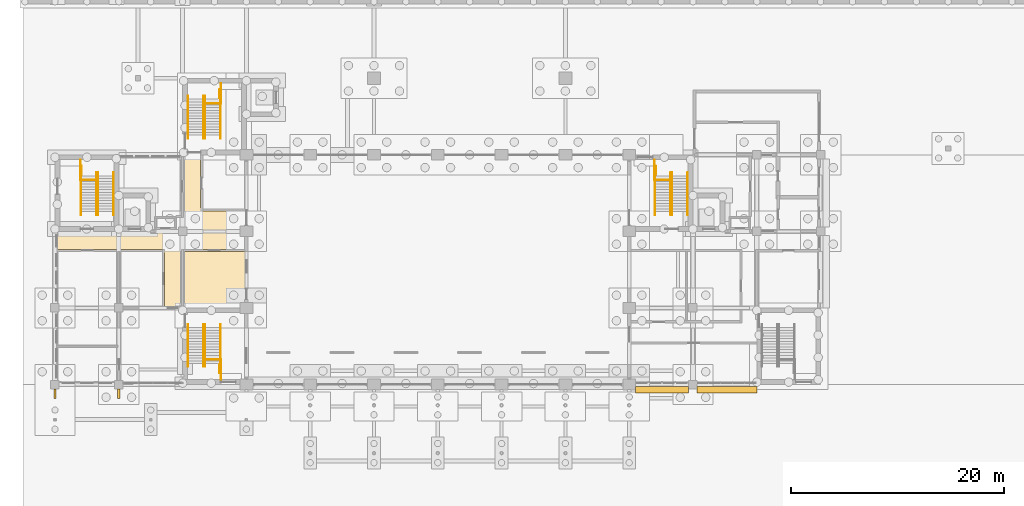
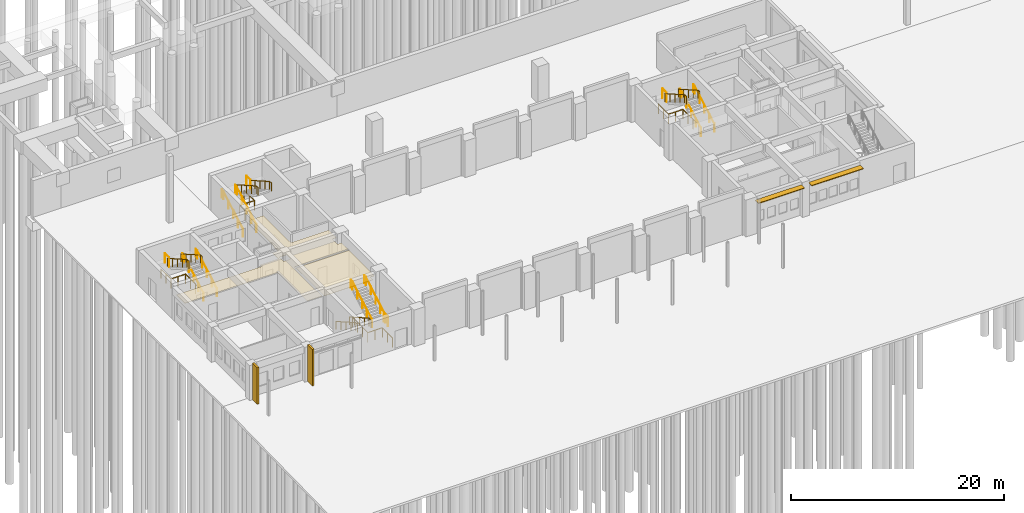
# One storey, part 34 of 37: 24 railings, 4 shading devices, 2 coverings.
"""IFC4 building model written with IfcOpenShell, lengths in metres."""

from ifc_helpers import new_model, si_unit, direction, frame, origin, origin_2d, place, context, subcontext, project, spatial, polyline, rectangle, circle, outline, extrude, material, layer, layer_set, type_object, element, save


model = new_model("IFC4")

# Units and contexts
model_context = context("Model", 3, precision=1e-05, world=origin(), true_north=direction((0.0, 1.0)))
body_context = subcontext(model_context, "Body", "Model", "MODEL_VIEW")
ifc_project = project(units=[si_unit("LENGTHUNIT", "METRE"), si_unit("AREAUNIT", "SQUARE_METRE"), si_unit("VOLUMEUNIT", "CUBIC_METRE"), si_unit("PLANEANGLEUNIT", "RADIAN"), si_unit("MASSUNIT", "GRAM", prefix="KILO")], contexts=[model_context])

# Site, building, storey
site_placement = place(None, origin())
site = spatial("IfcSite", under=ifc_project, at=site_placement, CompositionType="ELEMENT")
building_placement = place(site_placement, origin())
building = spatial("IfcBuilding", under=site, at=building_placement, Name="Laocheng Heights Fire and Rescue Headquarters", CompositionType="ELEMENT")
storey_placement = place(building_placement, origin())
storey = spatial("IfcBuildingStorey", under=building, at=storey_placement, Name="L00", CompositionType="ELEMENT", Elevation=0.0)

# Shading devices
ifc_material_1 = material(Name="Precast concrete C40/50, light warm grey", Category="concrete")
ifc_layer_1 = layer(ifc_material_1, 0.080078125)
ifc_layer_set_1 = layer_set([ifc_layer_1], Name="Precast concrete C40/50, light warm grey")
shading_device_type_1 = type_object("IfcShadingDeviceType", Name="PRECAST BLADE 600 x 80 BLADE E FLANK SOUTH", PredefinedType="JALOUSIE", material=ifc_layer_set_1)
shading_device_1_placement = place(storey_placement, frame((57.10009765625, -0.5, 3.56005859375), z_axis=(0.0, 0.0, 1.0), x_axis=(1.0, 0.0, 0.0)))
element("IfcShadingDevice", 1, at=shading_device_1_placement, inside=storey, type_object=shading_device_type_1, Name="BLADE E FLANK SOUTH L00", PredefinedType="JALOUSIE", context=body_context, shape_type="SweptSolid", body=[
    extrude(rectangle(XDim=5.0, YDim=0.60009765625, at=origin_2d()), origin(), (0.0, 0.0, 1.0), 0.080078125),
])
shading_device_2_placement = place(storey_placement, frame((63.199951171875, -0.5, 3.56005859375), z_axis=(0.0, 0.0, 1.0), x_axis=(1.0, 0.0, 0.0)))
element("IfcShadingDevice", 2, at=shading_device_2_placement, inside=storey, type_object=shading_device_type_1, Name="BLADE E FLANK SOUTH L00", PredefinedType="JALOUSIE", context=body_context, shape_type="SweptSolid", body=[
    extrude(rectangle(XDim=5.60009765625, YDim=0.60009765625, at=origin_2d()), origin(), (0.0, 0.0, 1.0), 0.080078125),
])
ifc_material_2 = material(Name="Precast concrete C40/50, light warm grey", Category="concrete")
ifc_layer_2 = layer(ifc_material_2, 0.199951171875)
ifc_layer_set_2 = layer_set([ifc_layer_2], Name="Precast concrete C40/50, light warm grey")
shading_device_type_2 = type_object("IfcShadingDeviceType", Name="PRECAST VERTICAL FIN 200 x 900", PredefinedType="AWNING", material=ifc_layer_set_2)
for number, where, z_axis, x_axis, name in (
    (3, (0.0, -0.85009765625, 0.0), (0.0, 0.0, 1.0), (1.0, 0.0, 0.0), "FIN W FLANK L00 x0"),
    (4, (6.0, -0.85009765625, 0.0), (0.0, 0.0, 1.0), (1.0, 0.0, 0.0), "FIN W FLANK L00 x6"),
):
    element("IfcShadingDevice", number, at=place(storey_placement, frame(where, z_axis=z_axis, x_axis=x_axis)), inside=storey, type_object=shading_device_type_2, Name=name, PredefinedType="AWNING", context=body_context, shape_type="SweptSolid", body=[
        extrude(rectangle(XDim=0.199951171875, YDim=0.89990234375, at=origin_2d()), origin(), (0.0, 0.0, 1.0), 4.199951171875),
    ])

# Railings
ifc_material_3 = material(Name="Steel Q355B", Category="steel")
railing_type_1 = type_object("IfcRailingType", Name="STAIR GUARD 1100", PredefinedType="GUARDRAIL", material=ifc_material_3)
railing_1_placement = place(storey_placement, frame((2.39501953125, 21.1298828125, 0.0)))
element("IfcRailing", 5, at=railing_1_placement, inside=storey, type_object=railing_type_1, Name="Stair W1 guard L00 under the half landing", PredefinedType="GUARDRAIL", context=body_context, shape_type="SweptSolid", body=[
    extrude(circle(Radius=0.02392578125, at=origin_2d()), frame((0.0, 0.0, 1.076171875), z_axis=(0.0, -1.0, 0.0), x_axis=(1.0, 0.0, 0.0)), (0.0, 0.0, 1.0), 1.900146484375),
    extrude(circle(Radius=0.02392578125, at=origin_2d()), frame((0.0, -1.900146484375, 1.076171875), z_axis=(1.0, 0.0, 0.0), x_axis=(0.0, 1.0, 0.0)), (0.0, 0.0, 1.0), 1.580078125),
    extrude(circle(Radius=0.02392578125, at=origin_2d()), frame((1.580078125, -1.900146484375, 1.076171875), z_axis=(0.0, -1.0, 0.0), x_axis=(1.0, 0.0, 0.0)), (0.0, 0.0, 1.0), 2.879638671875),
    extrude(circle(Radius=0.02099609375, at=origin_2d()), origin(), (0.0, 0.0, 1.0), 1.052001953125),
    extrude(circle(Radius=0.02099609375, at=origin_2d()), frame((0.0, -0.9501953125, 0.0)), (0.0, 0.0, 1.0), 1.052001953125),
    extrude(circle(Radius=0.02099609375, at=origin_2d()), frame((0.0, -1.900146484375, 0.0)), (0.0, 0.0, 1.0), 1.052001953125),
    extrude(circle(Radius=0.02099609375, at=origin_2d()), frame((0.7900390625, -1.900146484375, 0.0)), (0.0, 0.0, 1.0), 1.052001953125),
    extrude(circle(Radius=0.02099609375, at=origin_2d()), frame((1.580078125, -1.900146484375, 0.0)), (0.0, 0.0, 1.0), 1.052001953125),
    extrude(circle(Radius=0.02099609375, at=origin_2d()), frame((1.580078125, -2.860107421875, 0.0)), (0.0, 0.0, 1.0), 1.052001953125),
    extrude(circle(Radius=0.02099609375, at=origin_2d()), frame((1.580078125, -3.81982421875, 0.0)), (0.0, 0.0, 1.0), 1.052001953125),
    extrude(circle(Radius=0.02099609375, at=origin_2d()), frame((1.580078125, -4.77978515625, 0.0)), (0.0, 0.0, 1.0), 1.052001953125),
])
railing_2_placement = place(storey_placement, frame((2.5048828125, 20.530029296875, 2.10009765625)))
element("IfcRailing", 6, at=railing_2_placement, inside=storey, type_object=railing_type_1, Name="Stair W1 guard L00 half landing", PredefinedType="GUARDRAIL", context=body_context, shape_type="SweptSolid", body=[
    extrude(circle(Radius=0.02392578125, at=origin_2d()), frame((0.0, 0.0, 1.076171875), z_axis=(0.0, -1.0, 0.0), x_axis=(1.0, 0.0, 0.0)), (0.0, 0.0, 1.0), 0.800048828125),
    extrude(circle(Radius=0.02099609375, at=origin_2d()), origin(), (0.0, 0.0, 1.0), 1.052001953125),
    extrude(circle(Radius=0.02099609375, at=origin_2d()), frame((0.0, -0.800048828125, 0.0)), (0.0, 0.0, 1.0), 1.052001953125),
])
railing_3_placement = place(storey_placement, frame((15.60498046875, 0.469970703125, 0.0)))
element("IfcRailing", 7, at=railing_3_placement, inside=storey, type_object=railing_type_1, Name="Stair W2 guard L00 under the half landing", PredefinedType="GUARDRAIL", context=body_context, shape_type="SweptSolid", body=[
    extrude(circle(Radius=0.02392578125, at=origin_2d()), frame((0.0, 0.0, 1.076171875), z_axis=(0.0, 1.0, 0.0), x_axis=(-1.0, 0.0, 0.0)), (0.0, 0.0, 1.0), 1.900146484375),
    extrude(circle(Radius=0.02392578125, at=origin_2d()), frame((0.0, 1.900146484375, 1.076171875), z_axis=(-1.0, 0.0, 0.0), x_axis=(0.0, -1.0, 0.0)), (0.0, 0.0, 1.0), 1.580078125),
    extrude(circle(Radius=0.02392578125, at=origin_2d()), frame((-1.580078125, 1.900146484375, 1.076171875), z_axis=(0.0, 1.0, 0.0), x_axis=(-1.0, 0.0, 0.0)), (0.0, 0.0, 1.0), 2.8798828125),
    extrude(circle(Radius=0.02099609375, at=origin_2d()), origin(), (0.0, 0.0, 1.0), 1.052001953125),
    extrude(circle(Radius=0.02099609375, at=origin_2d()), frame((0.0, 0.9501953125, 0.0)), (0.0, 0.0, 1.0), 1.052001953125),
    extrude(circle(Radius=0.02099609375, at=origin_2d()), frame((0.0, 1.900146484375, 0.0)), (0.0, 0.0, 1.0), 1.052001953125),
    extrude(circle(Radius=0.02099609375, at=origin_2d()), frame((-0.7900390625, 1.900146484375, 0.0)), (0.0, 0.0, 1.0), 1.052001953125),
    extrude(circle(Radius=0.02099609375, at=origin_2d()), frame((-1.580078125, 1.900146484375, 0.0)), (0.0, 0.0, 1.0), 1.052001953125),
    extrude(circle(Radius=0.02099609375, at=origin_2d()), frame((-1.580078125, 2.860107421875, 0.0)), (0.0, 0.0, 1.0), 1.052001953125),
    extrude(circle(Radius=0.02099609375, at=origin_2d()), frame((-1.580078125, 3.820068359375, 0.0)), (0.0, 0.0, 1.0), 1.052001953125),
    extrude(circle(Radius=0.02099609375, at=origin_2d()), frame((-1.580078125, 4.780029296875, 0.0)), (0.0, 0.0, 1.0), 1.052001953125),
])
railing_4_placement = place(storey_placement, frame((15.4951171875, 1.070068359375, 2.10009765625)))
element("IfcRailing", 8, at=railing_4_placement, inside=storey, type_object=railing_type_1, Name="Stair W2 guard L00 half landing", PredefinedType="GUARDRAIL", context=body_context, shape_type="SweptSolid", body=[
    extrude(circle(Radius=0.02392578125, at=origin_2d()), frame((0.0, 0.0, 1.076171875), z_axis=(0.0, 1.0, 0.0), x_axis=(-1.0, 0.0, 0.0)), (0.0, 0.0, 1.0), 0.800048828125),
    extrude(circle(Radius=0.02099609375, at=origin_2d()), origin(), (0.0, 0.0, 1.0), 1.052001953125),
    extrude(circle(Radius=0.02099609375, at=origin_2d()), frame((0.0, 0.800048828125, 0.0)), (0.0, 0.0, 1.0), 1.052001953125),
])
railing_5_placement = place(storey_placement, frame((56.39501953125, 21.1298828125, 0.0)))
element("IfcRailing", 9, at=railing_5_placement, inside=storey, type_object=railing_type_1, Name="Stair E1 guard L00 under the half landing", PredefinedType="GUARDRAIL", context=body_context, shape_type="SweptSolid", body=[
    extrude(circle(Radius=0.02392578125, at=origin_2d()), frame((0.0, 0.0, 1.076171875), z_axis=(0.0, -1.0, 0.0), x_axis=(1.0, 0.0, 0.0)), (0.0, 0.0, 1.0), 1.900146484375),
    extrude(circle(Radius=0.02392578125, at=origin_2d()), frame((0.0, -1.900146484375, 1.076171875), z_axis=(1.0, 0.0, 0.0), x_axis=(0.0, 1.0, 0.0)), (0.0, 0.0, 1.0), 1.580078125),
    extrude(circle(Radius=0.02392578125, at=origin_2d()), frame((1.580078125, -1.900146484375, 1.076171875), z_axis=(0.0, -1.0, 0.0), x_axis=(1.0, 0.0, 0.0)), (0.0, 0.0, 1.0), 2.879638671875),
    extrude(circle(Radius=0.02099609375, at=origin_2d()), origin(), (0.0, 0.0, 1.0), 1.052001953125),
    extrude(circle(Radius=0.02099609375, at=origin_2d()), frame((0.0, -0.9501953125, 0.0)), (0.0, 0.0, 1.0), 1.052001953125),
    extrude(circle(Radius=0.02099609375, at=origin_2d()), frame((0.0, -1.900146484375, 0.0)), (0.0, 0.0, 1.0), 1.052001953125),
    extrude(circle(Radius=0.02099609375, at=origin_2d()), frame((0.7900390625, -1.900146484375, 0.0)), (0.0, 0.0, 1.0), 1.052001953125),
    extrude(circle(Radius=0.02099609375, at=origin_2d()), frame((1.580078125, -1.900146484375, 0.0)), (0.0, 0.0, 1.0), 1.052001953125),
    extrude(circle(Radius=0.02099609375, at=origin_2d()), frame((1.580078125, -2.860107421875, 0.0)), (0.0, 0.0, 1.0), 1.052001953125),
    extrude(circle(Radius=0.02099609375, at=origin_2d()), frame((1.580078125, -3.81982421875, 0.0)), (0.0, 0.0, 1.0), 1.052001953125),
    extrude(circle(Radius=0.02099609375, at=origin_2d()), frame((1.580078125, -4.77978515625, 0.0)), (0.0, 0.0, 1.0), 1.052001953125),
])
railing_6_placement = place(storey_placement, frame((56.5048828125, 20.530029296875, 2.10009765625)))
element("IfcRailing", 10, at=railing_6_placement, inside=storey, type_object=railing_type_1, Name="Stair E1 guard L00 half landing", PredefinedType="GUARDRAIL", context=body_context, shape_type="SweptSolid", body=[
    extrude(circle(Radius=0.02392578125, at=origin_2d()), frame((0.0, 0.0, 1.076171875), z_axis=(0.0, -1.0, 0.0), x_axis=(1.0, 0.0, 0.0)), (0.0, 0.0, 1.0), 0.800048828125),
    extrude(circle(Radius=0.02099609375, at=origin_2d()), origin(), (0.0, 0.0, 1.0), 1.052001953125),
    extrude(circle(Radius=0.02099609375, at=origin_2d()), frame((0.0, -0.800048828125, 0.0)), (0.0, 0.0, 1.0), 1.052001953125),
])
railing_7_placement = place(storey_placement, frame((15.60498046875, 28.330078125, 0.0)))
element("IfcRailing", 11, at=railing_7_placement, inside=storey, type_object=railing_type_1, Name="Stair G1 guard L00 under the half landing", PredefinedType="GUARDRAIL", context=body_context, shape_type="SweptSolid", body=[
    extrude(circle(Radius=0.02392578125, at=origin_2d()), frame((0.0, 0.0, 1.076171875), z_axis=(0.0, -1.0, 0.0), x_axis=(1.0, 0.0, 0.0)), (0.0, 0.0, 1.0), 1.900146484375),
    extrude(circle(Radius=0.02392578125, at=origin_2d()), frame((0.0, -1.900146484375, 1.076171875), z_axis=(-1.0, 0.0, 0.0), x_axis=(0.0, -1.0, 0.0)), (0.0, 0.0, 1.0), 1.580078125),
    extrude(circle(Radius=0.02392578125, at=origin_2d()), frame((-1.580078125, -1.900146484375, 1.076171875), z_axis=(0.0, -1.0, 0.0), x_axis=(1.0, 0.0, 0.0)), (0.0, 0.0, 1.0), 2.8798828125),
    extrude(circle(Radius=0.02099609375, at=origin_2d()), origin(), (0.0, 0.0, 1.0), 1.052001953125),
    extrude(circle(Radius=0.02099609375, at=origin_2d()), frame((0.0, -0.9501953125, 0.0)), (0.0, 0.0, 1.0), 1.052001953125),
    extrude(circle(Radius=0.02099609375, at=origin_2d()), frame((0.0, -1.900146484375, 0.0)), (0.0, 0.0, 1.0), 1.052001953125),
    extrude(circle(Radius=0.02099609375, at=origin_2d()), frame((-0.7900390625, -1.900146484375, 0.0)), (0.0, 0.0, 1.0), 1.052001953125),
    extrude(circle(Radius=0.02099609375, at=origin_2d()), frame((-1.580078125, -1.900146484375, 0.0)), (0.0, 0.0, 1.0), 1.052001953125),
    extrude(circle(Radius=0.02099609375, at=origin_2d()), frame((-1.580078125, -2.860107421875, 0.0)), (0.0, 0.0, 1.0), 1.052001953125),
    extrude(circle(Radius=0.02099609375, at=origin_2d()), frame((-1.580078125, -3.820068359375, 0.0)), (0.0, 0.0, 1.0), 1.052001953125),
    extrude(circle(Radius=0.02099609375, at=origin_2d()), frame((-1.580078125, -4.780029296875, 0.0)), (0.0, 0.0, 1.0), 1.052001953125),
])
railing_8_placement = place(storey_placement, frame((15.4951171875, 27.72998046875, 2.10009765625)))
element("IfcRailing", 12, at=railing_8_placement, inside=storey, type_object=railing_type_1, Name="Stair G1 guard L00 half landing", PredefinedType="GUARDRAIL", context=body_context, shape_type="SweptSolid", body=[
    extrude(circle(Radius=0.02392578125, at=origin_2d()), frame((0.0, 0.0, 1.076171875), z_axis=(0.0, -1.0, 0.0), x_axis=(1.0, 0.0, 0.0)), (0.0, 0.0, 1.0), 0.800048828125),
    extrude(circle(Radius=0.02099609375, at=origin_2d()), origin(), (0.0, 0.0, 1.0), 1.052001953125),
    extrude(circle(Radius=0.02099609375, at=origin_2d()), frame((0.0, -0.800048828125, 0.0)), (0.0, 0.0, 1.0), 1.052001953125),
])
ifc_material_4 = material(Name="Steel Q355B", Category="steel")
railing_type_2 = type_object("IfcRailingType", Name="STAIR HANDRAIL 920", PredefinedType="HANDRAIL", material=ifc_material_4)
for number, where, name in (
    (13, (5.5048828125, 15.949951171875, 0.0), "Stair W1 handrail L00 1"),
    (14, (4.044921875, 15.949951171875, 0.0), "Stair W1 handrail L00 2"),
):
    element("IfcRailing", number, at=place(storey_placement, frame(where)), inside=storey, type_object=railing_type_2, Name=name, PredefinedType="HANDRAIL", context=body_context, shape_type="SweptSolid", body=[
        extrude(circle(Radius=0.02392578125, at=origin_2d()), frame((0.0, 0.0, 0.89599609375), z_axis=(0.0, 0.868519587458, 0.495654845838), x_axis=(-1.0, 0.0, 0.0)), (0.0, 0.0, 1.0), 4.237060546875),
        extrude(circle(Radius=0.02392578125, at=origin_2d()), frame((0.0, 3.679931640625, 2.99609375), z_axis=(0.0, 1.0, 0.0), x_axis=(-1.0, 0.0, 0.0)), (0.0, 0.0, 1.0), 0.300048828125),
        extrude(circle(Radius=0.02099609375, at=origin_2d()), origin(), (0.0, 0.0, 1.0), 0.871826171875),
        extrude(circle(Radius=0.02099609375, at=origin_2d()), frame((0.0, 0.919921875, 0.52490234375)), (0.0, 0.0, 1.0), 0.871826171875),
        extrude(circle(Radius=0.02099609375, at=origin_2d()), frame((0.0, 1.83984375, 1.050048828125)), (0.0, 0.0, 1.0), 0.871826171875),
        extrude(circle(Radius=0.02099609375, at=origin_2d()), frame((0.0, 2.760009765625, 1.5751953125)), (0.0, 0.0, 1.0), 0.871826171875),
        extrude(circle(Radius=0.02099609375, at=origin_2d()), frame((0.0, 3.679931640625, 2.10009765625)), (0.0, 0.0, 1.0), 0.871826171875),
        extrude(circle(Radius=0.02099609375, at=origin_2d()), frame((0.0, 3.97998046875, 2.10009765625)), (0.0, 0.0, 1.0), 0.871826171875),
    ])
for number, where, name in (
    (15, (3.905029296875, 19.929931640625, 2.10009765625), "Stair W1 handrail L00 3"),
    (16, (2.445068359375, 19.929931640625, 2.10009765625), "Stair W1 handrail L00 4"),
):
    element("IfcRailing", number, at=place(storey_placement, frame(where)), inside=storey, type_object=railing_type_2, Name=name, PredefinedType="HANDRAIL", context=body_context, shape_type="SweptSolid", body=[
        extrude(circle(Radius=0.02392578125, at=origin_2d()), frame((0.0, 0.0, 0.89599609375), z_axis=(0.0, -0.868544392059, 0.495611379029), x_axis=(1.0, 0.0, 0.0)), (0.0, 0.0, 1.0), 4.23681640625),
        extrude(circle(Radius=0.02392578125, at=origin_2d()), frame((0.0, -3.679931640625, 2.99560546875), z_axis=(0.0, -1.0, 0.0), x_axis=(1.0, 0.0, 0.0)), (0.0, 0.0, 1.0), 0.300048828125),
        extrude(circle(Radius=0.02099609375, at=origin_2d()), origin(), (0.0, 0.0, 1.0), 0.871826171875),
        extrude(circle(Radius=0.02099609375, at=origin_2d()), frame((0.0, -0.919921875, 0.52490234375)), (0.0, 0.0, 1.0), 0.871826171875),
        extrude(circle(Radius=0.02099609375, at=origin_2d()), frame((0.0, -1.83984375, 1.0498046875)), (0.0, 0.0, 1.0), 0.871826171875),
        extrude(circle(Radius=0.02099609375, at=origin_2d()), frame((0.0, -2.760009765625, 1.574951171875)), (0.0, 0.0, 1.0), 0.871826171875),
        extrude(circle(Radius=0.02099609375, at=origin_2d()), frame((0.0, -3.679931640625, 2.099853515625)), (0.0, 0.0, 1.0), 0.871826171875),
        extrude(circle(Radius=0.02099609375, at=origin_2d()), frame((0.0, -3.97998046875, 2.099853515625)), (0.0, 0.0, 1.0), 0.871826171875),
    ])
for number, where, name in (
    (17, (12.4951171875, 5.64990234375, 0.0), "Stair W2 handrail L00 1"),
    (18, (13.955078125, 5.64990234375, 0.0), "Stair W2 handrail L00 2"),
):
    element("IfcRailing", number, at=place(storey_placement, frame(where)), inside=storey, type_object=railing_type_2, Name=name, PredefinedType="HANDRAIL", context=body_context, shape_type="SweptSolid", body=[
        extrude(circle(Radius=0.02392578125, at=origin_2d()), frame((0.0, 0.0, 0.89599609375), z_axis=(0.0, -0.868519587458, 0.495654845838), x_axis=(1.0, 0.0, 0.0)), (0.0, 0.0, 1.0), 4.237060546875),
        extrude(circle(Radius=0.02392578125, at=origin_2d()), frame((0.0, -3.679931640625, 2.99609375), z_axis=(0.0, -1.0, 0.0), x_axis=(1.0, 0.0, 0.0)), (0.0, 0.0, 1.0), 0.300048828125),
        extrude(circle(Radius=0.02099609375, at=origin_2d()), origin(), (0.0, 0.0, 1.0), 0.871826171875),
        extrude(circle(Radius=0.02099609375, at=origin_2d()), frame((0.0, -0.919921875, 0.52490234375)), (0.0, 0.0, 1.0), 0.871826171875),
        extrude(circle(Radius=0.02099609375, at=origin_2d()), frame((0.0, -1.83984375, 1.050048828125)), (0.0, 0.0, 1.0), 0.871826171875),
        extrude(circle(Radius=0.02099609375, at=origin_2d()), frame((0.0, -2.760009765625, 1.5751953125)), (0.0, 0.0, 1.0), 0.871826171875),
        extrude(circle(Radius=0.02099609375, at=origin_2d()), frame((0.0, -3.679931640625, 2.10009765625)), (0.0, 0.0, 1.0), 0.871826171875),
        extrude(circle(Radius=0.02099609375, at=origin_2d()), frame((0.0, -3.97998046875, 2.10009765625)), (0.0, 0.0, 1.0), 0.871826171875),
    ])
for number, where, name in (
    (19, (14.094970703125, 1.669921875, 2.10009765625), "Stair W2 handrail L00 3"),
    (20, (15.554931640625, 1.669921875, 2.10009765625), "Stair W2 handrail L00 4"),
):
    element("IfcRailing", number, at=place(storey_placement, frame(where)), inside=storey, type_object=railing_type_2, Name=name, PredefinedType="HANDRAIL", context=body_context, shape_type="SweptSolid", body=[
        extrude(circle(Radius=0.02392578125, at=origin_2d()), frame((0.0, 0.0, 0.89599609375), z_axis=(0.0, 0.868558544855, 0.495586575846), x_axis=(-1.0, 0.0, 0.0)), (0.0, 0.0, 1.0), 4.237060546875),
        extrude(circle(Radius=0.02392578125, at=origin_2d()), frame((0.0, 3.68017578125, 2.99560546875), z_axis=(0.0, 1.0, 0.0), x_axis=(-1.0, 0.0, 0.0)), (0.0, 0.0, 1.0), 0.2998046875),
        extrude(circle(Radius=0.02099609375, at=origin_2d()), origin(), (0.0, 0.0, 1.0), 0.871826171875),
        extrude(circle(Radius=0.02099609375, at=origin_2d()), frame((0.0, 0.919921875, 0.52490234375)), (0.0, 0.0, 1.0), 0.871826171875),
        extrude(circle(Radius=0.02099609375, at=origin_2d()), frame((0.0, 1.840087890625, 1.0498046875)), (0.0, 0.0, 1.0), 0.871826171875),
        extrude(circle(Radius=0.02099609375, at=origin_2d()), frame((0.0, 2.76025390625, 1.574951171875)), (0.0, 0.0, 1.0), 0.871826171875),
        extrude(circle(Radius=0.02099609375, at=origin_2d()), frame((0.0, 3.68017578125, 2.099853515625)), (0.0, 0.0, 1.0), 0.871826171875),
        extrude(circle(Radius=0.02099609375, at=origin_2d()), frame((0.0, 3.97998046875, 2.099853515625)), (0.0, 0.0, 1.0), 0.871826171875),
    ])
for number, where, name in (
    (21, (59.5048828125, 15.949951171875, 0.0), "Stair E1 handrail L00 1"),
    (22, (58.044921875, 15.949951171875, 0.0), "Stair E1 handrail L00 2"),
):
    element("IfcRailing", number, at=place(storey_placement, frame(where)), inside=storey, type_object=railing_type_2, Name=name, PredefinedType="HANDRAIL", context=body_context, shape_type="SweptSolid", body=[
        extrude(circle(Radius=0.02392578125, at=origin_2d()), frame((0.0, 0.0, 0.89599609375), z_axis=(0.0, 0.868519587458, 0.495654845838), x_axis=(-1.0, 0.0, 0.0)), (0.0, 0.0, 1.0), 4.237060546875),
        extrude(circle(Radius=0.02392578125, at=origin_2d()), frame((0.0, 3.679931640625, 2.99609375), z_axis=(0.0, 1.0, 0.0), x_axis=(-1.0, 0.0, 0.0)), (0.0, 0.0, 1.0), 0.300048828125),
        extrude(circle(Radius=0.02099609375, at=origin_2d()), origin(), (0.0, 0.0, 1.0), 0.871826171875),
        extrude(circle(Radius=0.02099609375, at=origin_2d()), frame((0.0, 0.919921875, 0.52490234375)), (0.0, 0.0, 1.0), 0.871826171875),
        extrude(circle(Radius=0.02099609375, at=origin_2d()), frame((0.0, 1.83984375, 1.050048828125)), (0.0, 0.0, 1.0), 0.871826171875),
        extrude(circle(Radius=0.02099609375, at=origin_2d()), frame((0.0, 2.760009765625, 1.5751953125)), (0.0, 0.0, 1.0), 0.871826171875),
        extrude(circle(Radius=0.02099609375, at=origin_2d()), frame((0.0, 3.679931640625, 2.10009765625)), (0.0, 0.0, 1.0), 0.871826171875),
        extrude(circle(Radius=0.02099609375, at=origin_2d()), frame((0.0, 3.97998046875, 2.10009765625)), (0.0, 0.0, 1.0), 0.871826171875),
    ])
for number, where, name in (
    (23, (57.905029296875, 19.929931640625, 2.10009765625), "Stair E1 handrail L00 3"),
    (24, (56.445068359375, 19.929931640625, 2.10009765625), "Stair E1 handrail L00 4"),
):
    element("IfcRailing", number, at=place(storey_placement, frame(where)), inside=storey, type_object=railing_type_2, Name=name, PredefinedType="HANDRAIL", context=body_context, shape_type="SweptSolid", body=[
        extrude(circle(Radius=0.02392578125, at=origin_2d()), frame((0.0, 0.0, 0.89599609375), z_axis=(0.0, -0.868544392059, 0.495611379029), x_axis=(1.0, 0.0, 0.0)), (0.0, 0.0, 1.0), 4.23681640625),
        extrude(circle(Radius=0.02392578125, at=origin_2d()), frame((0.0, -3.679931640625, 2.99560546875), z_axis=(0.0, -1.0, 0.0), x_axis=(1.0, 0.0, 0.0)), (0.0, 0.0, 1.0), 0.300048828125),
        extrude(circle(Radius=0.02099609375, at=origin_2d()), origin(), (0.0, 0.0, 1.0), 0.871826171875),
        extrude(circle(Radius=0.02099609375, at=origin_2d()), frame((0.0, -0.919921875, 0.52490234375)), (0.0, 0.0, 1.0), 0.871826171875),
        extrude(circle(Radius=0.02099609375, at=origin_2d()), frame((0.0, -1.83984375, 1.0498046875)), (0.0, 0.0, 1.0), 0.871826171875),
        extrude(circle(Radius=0.02099609375, at=origin_2d()), frame((0.0, -2.760009765625, 1.574951171875)), (0.0, 0.0, 1.0), 0.871826171875),
        extrude(circle(Radius=0.02099609375, at=origin_2d()), frame((0.0, -3.679931640625, 2.099853515625)), (0.0, 0.0, 1.0), 0.871826171875),
        extrude(circle(Radius=0.02099609375, at=origin_2d()), frame((0.0, -3.97998046875, 2.099853515625)), (0.0, 0.0, 1.0), 0.871826171875),
    ])
for number, where, name in (
    (25, (12.4951171875, 23.14990234375, 0.0), "Stair G1 handrail L00 1"),
    (26, (13.955078125, 23.14990234375, 0.0), "Stair G1 handrail L00 2"),
):
    element("IfcRailing", number, at=place(storey_placement, frame(where)), inside=storey, type_object=railing_type_2, Name=name, PredefinedType="HANDRAIL", context=body_context, shape_type="SweptSolid", body=[
        extrude(circle(Radius=0.02392578125, at=origin_2d()), frame((0.0, 0.0, 0.89599609375), z_axis=(0.0, 0.868533742332, 0.495630041896), x_axis=(-1.0, 0.0, 0.0)), (0.0, 0.0, 1.0), 4.2373046875),
        extrude(circle(Radius=0.02392578125, at=origin_2d()), frame((0.0, 3.68017578125, 2.99609375), z_axis=(0.0, 1.0, 0.0), x_axis=(-1.0, 0.0, 0.0)), (0.0, 0.0, 1.0), 0.2998046875),
        extrude(circle(Radius=0.02099609375, at=origin_2d()), origin(), (0.0, 0.0, 1.0), 0.871826171875),
        extrude(circle(Radius=0.02099609375, at=origin_2d()), frame((0.0, 0.919921875, 0.52490234375)), (0.0, 0.0, 1.0), 0.871826171875),
        extrude(circle(Radius=0.02099609375, at=origin_2d()), frame((0.0, 1.840087890625, 1.050048828125)), (0.0, 0.0, 1.0), 0.871826171875),
        extrude(circle(Radius=0.02099609375, at=origin_2d()), frame((0.0, 2.76025390625, 1.5751953125)), (0.0, 0.0, 1.0), 0.871826171875),
        extrude(circle(Radius=0.02099609375, at=origin_2d()), frame((0.0, 3.68017578125, 2.10009765625)), (0.0, 0.0, 1.0), 0.871826171875),
        extrude(circle(Radius=0.02099609375, at=origin_2d()), frame((0.0, 3.97998046875, 2.10009765625)), (0.0, 0.0, 1.0), 0.871826171875),
    ])
for number, where, name in (
    (27, (14.094970703125, 27.1298828125, 2.10009765625), "Stair G1 handrail L00 3"),
    (28, (15.554931640625, 27.1298828125, 2.10009765625), "Stair G1 handrail L00 4"),
):
    element("IfcRailing", number, at=place(storey_placement, frame(where)), inside=storey, type_object=railing_type_2, Name=name, PredefinedType="HANDRAIL", context=body_context, shape_type="SweptSolid", body=[
        extrude(circle(Radius=0.02392578125, at=origin_2d()), frame((0.0, 0.0, 0.89599609375), z_axis=(0.0, -0.868544392059, 0.495611379029), x_axis=(1.0, 0.0, 0.0)), (0.0, 0.0, 1.0), 4.23681640625),
        extrude(circle(Radius=0.02392578125, at=origin_2d()), frame((0.0, -3.679931640625, 2.99560546875), z_axis=(0.0, -1.0, 0.0), x_axis=(1.0, 0.0, 0.0)), (0.0, 0.0, 1.0), 0.300048828125),
        extrude(circle(Radius=0.02099609375, at=origin_2d()), origin(), (0.0, 0.0, 1.0), 0.871826171875),
        extrude(circle(Radius=0.02099609375, at=origin_2d()), frame((0.0, -0.919921875, 0.52490234375)), (0.0, 0.0, 1.0), 0.871826171875),
        extrude(circle(Radius=0.02099609375, at=origin_2d()), frame((0.0, -1.83984375, 1.0498046875)), (0.0, 0.0, 1.0), 0.871826171875),
        extrude(circle(Radius=0.02099609375, at=origin_2d()), frame((0.0, -2.760009765625, 1.574951171875)), (0.0, 0.0, 1.0), 0.871826171875),
        extrude(circle(Radius=0.02099609375, at=origin_2d()), frame((0.0, -3.679931640625, 2.099853515625)), (0.0, 0.0, 1.0), 0.871826171875),
        extrude(circle(Radius=0.02099609375, at=origin_2d()), frame((0.0, -3.97998046875, 2.099853515625)), (0.0, 0.0, 1.0), 0.871826171875),
    ])

# Coverings
ifc_material_5 = material(Name="Mineral fibre ceiling tile")
ifc_layer_3 = layer(ifc_material_5, 0.0400390625)
ifc_layer_set_3 = layer_set([ifc_layer_3], Name="Mineral fibre ceiling tile")
covering_type = type_object("IfcCoveringType", Name="SUSPENDED CEILING MINERAL FIBRE TILE", PredefinedType="CEILING", material=ifc_layer_set_3)
covering_1_placement = place(storey_placement, frame((0.0, 0.0, 3.0)))
element("IfcCovering", 29, at=covering_1_placement, inside=storey, type_object=covering_type, Name="Circulation W flank ceiling", PredefinedType="CEILING", context=body_context, shape_type="SweptSolid", body=[
    extrude(outline(polyline([(10.199951171875, 12.39990234375), (10.199951171875, 12.60009765625), (10.199951171875, 12.699951171875), (0.14990234375, 12.699951171875), (0.14990234375, 14.300048828125), (9.39990234375, 14.300048828125), (9.39990234375, 14.39990234375), (9.39990234375, 14.60009765625), (9.5, 14.60009765625), (11.199951171875, 14.60009765625), (11.39990234375, 14.60009765625), (11.39990234375, 15.699951171875), (12.0, 15.699951171875), (12.0, 15.800048828125), (12.0, 16.0), (12.10009765625, 16.0), (12.10009765625, 16.199951171875), (12.0, 16.199951171875), (12.0, 16.39990234375), (12.0, 16.60009765625), (12.10009765625, 16.60009765625), (12.10009765625, 21.449951171875), (13.699951171875, 21.449951171875), (13.699951171875, 16.60009765625), (13.800048828125, 16.60009765625), (13.800048828125, 16.39990234375), (13.800048828125, 16.300048828125), (17.85009765625, 16.300048828125), (17.85009765625, 16.0), (17.85009765625, 15.800048828125), (17.85009765625, 15.699951171875), (17.85009765625, 15.60009765625), (17.85009765625, 14.89990234375), (17.39990234375, 14.89990234375), (17.39990234375, 13.89990234375), (17.85009765625, 13.89990234375), (17.85009765625, 12.699951171875), (12.0, 12.699951171875), (12.0, 12.60009765625), (12.0, 12.39990234375), (11.89990234375, 12.39990234375), (11.89990234375, 7.300048828125), (10.300048828125, 7.300048828125), (10.300048828125, 12.39990234375), (10.199951171875, 12.39990234375)]), holes=[polyline([(11.60009765625, 14.0), (12.39990234375, 14.0), (12.39990234375, 14.800048828125), (11.60009765625, 14.800048828125), (11.60009765625, 14.0)])]), origin(), (0.0, 0.0, 1.0), 0.0400390625),
])
covering_2_placement = place(storey_placement, frame((0.0, 0.0, 3.0)))
element("IfcCovering", 30, at=covering_2_placement, inside=storey, type_object=covering_type, Name="Watch Room ceiling", PredefinedType="CEILING", context=body_context, shape_type="SweptSolid", body=[
    extrude(outline(polyline([(12.10009765625, 7.199951171875), (12.10009765625, 12.5), (17.85009765625, 12.5), (17.85009765625, 7.699951171875), (17.39990234375, 7.699951171875), (17.39990234375, 7.199951171875), (12.10009765625, 7.199951171875)])), origin(), (0.0, 0.0, 1.0), 0.0400390625),
])

save(model, "model.ifc")
